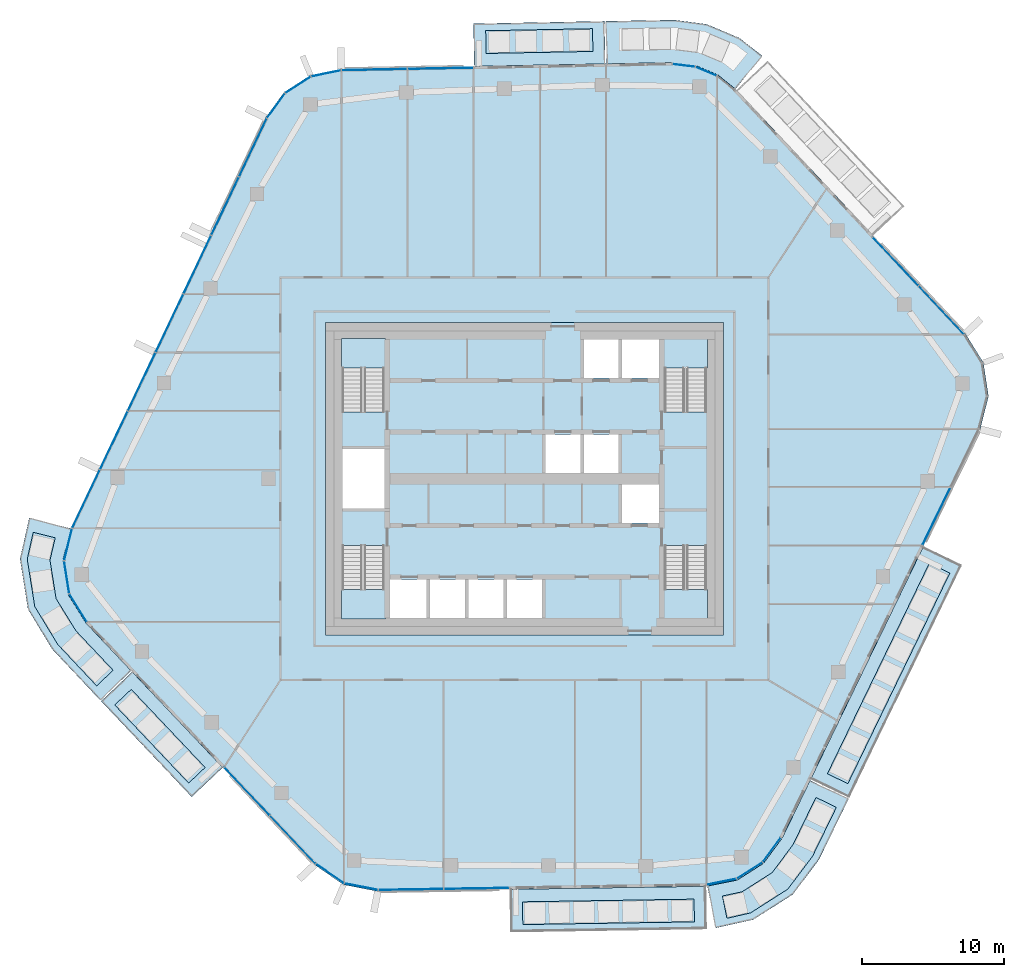
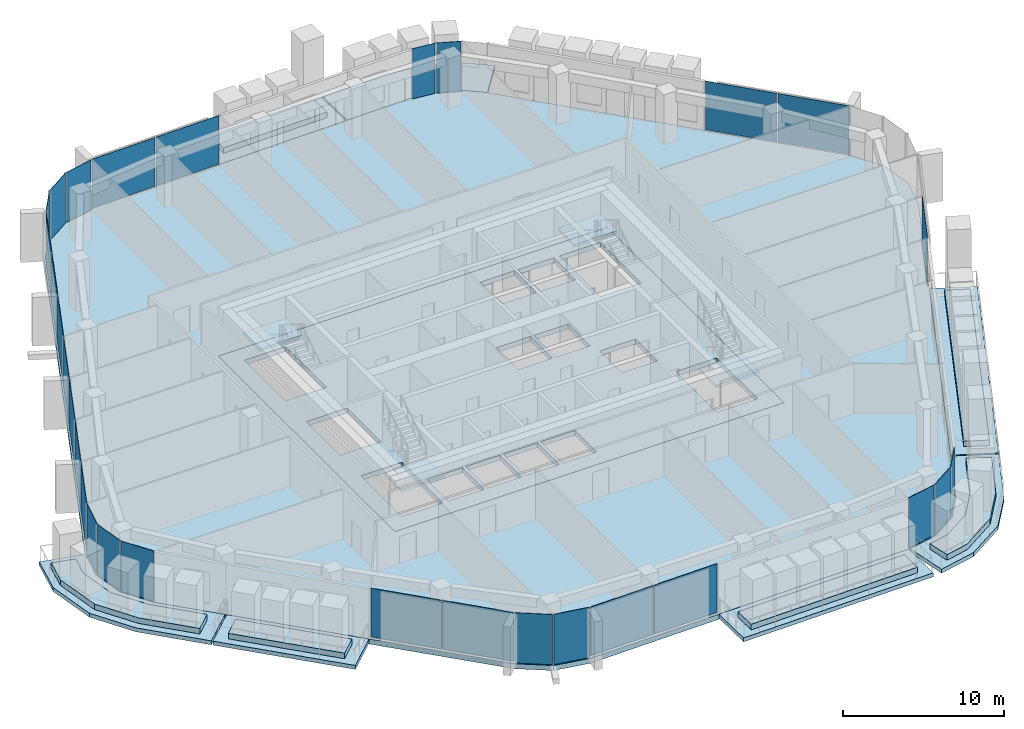
# One storey, part 11 of 24: 29 plates, 19 slabs, 15 elements without a shape of their own.
"""IFC4 building model written with IfcOpenShell, lengths in metres."""

from ifc_helpers import new_model, si_unit, direction, frame, origin, origin_2d, place, context, subcontext, project, spatial, polyline, rectangle, outline, extrude, material, layer, layer_set, type_object, element, aggregate, save


model = new_model("IFC4")

# Units and contexts
model_context = context("Model", 3, precision=1e-05, world=origin(), true_north=direction((0.0, 1.0)))
body_context = subcontext(model_context, "Body", "Model", "MODEL_VIEW")
ifc_project = project(units=[si_unit("LENGTHUNIT", "METRE"), si_unit("AREAUNIT", "SQUARE_METRE"), si_unit("VOLUMEUNIT", "CUBIC_METRE"), si_unit("PLANEANGLEUNIT", "RADIAN"), si_unit("MASSUNIT", "GRAM", prefix="KILO")], contexts=[model_context])

# Site, building, storey
site_placement = place(None, origin())
site = spatial("IfcSite", under=ifc_project, at=site_placement, CompositionType="ELEMENT")
building_placement = place(site_placement, origin())
building = spatial("IfcBuilding", under=site, at=building_placement, Name="Dongbaek Canopy Tower", CompositionType="ELEMENT")
storey_placement = place(building_placement, frame((0.0, 0.0, 302.60009765625)))
storey = spatial("IfcBuildingStorey", under=building, at=storey_placement, Name="L64", CompositionType="ELEMENT", Elevation=302.60009765625)

# Slabs
ifc_material_1 = material(Name="Concrete C40/50", Category="concrete")
ifc_layer_1 = layer(ifc_material_1, 0.300048828125)
ifc_layer_set_1 = layer_set([ifc_layer_1], Name="Balcony slab 300")
slab_type_1 = type_object("IfcSlabType", Name="Balcony slab 300", PredefinedType="FLOOR", material=ifc_layer_set_1)
slab_1_placement = place(storey_placement, frame((0.0, 0.0, -0.300048828125)))
element("IfcSlab", 1, at=slab_1_placement, inside=storey, type_object=slab_type_1, Name="Balcony L64 2", PredefinedType="FLOOR", context=body_context, shape_type="SweptSolid", body=[
    extrude(outline(polyline([(5.68310546875, 29.171875), (-3.52685546875, 28.99755859375), (-3.58349609375, 31.9970703125), (5.62646484375, 32.17138671875), (5.68310546875, 29.171875)])), origin(), (0.0, 0.0, 1.0), 0.300048828125),
])
slab_2_placement = place(storey_placement, frame((0.0, 0.0, -0.300048828125)))
element("IfcSlab", 2, at=slab_2_placement, inside=storey, type_object=slab_type_1, Name="Balcony L64 6", PredefinedType="FLOOR", context=body_context, shape_type="SweptSolid", body=[
    extrude(outline(polyline([(14.834716796875, 27.402099609375), (13.575927734375, 28.414306640625), (12.041259765625, 29.060791015625), (10.387939453125, 29.2607421875), (5.782958984375, 29.173583984375), (5.726318359375, 32.173095703125), (10.5400390625, 32.2568359375), (12.81103515625, 31.96044921875), (15.113037109375, 30.990478515625), (16.714599609375, 29.740234375), (14.834716796875, 27.402099609375)])), origin(), (0.0, 0.0, 1.0), 0.300048828125),
])
slab_3_placement = place(storey_placement, frame((0.0, 0.0, -0.300048828125)))
element("IfcSlab", 3, at=slab_3_placement, inside=storey, type_object=slab_type_1, Name="Balcony L64 3", PredefinedType="FLOOR", context=body_context, shape_type="SweptSolid", body=[
    extrude(outline(polyline([(-27.58154296875, -13.57568359375), (-21.217041015625, -20.3017578125), (-23.39599609375, -22.36376953125), (-29.7607421875, -15.6376953125), (-27.58154296875, -13.57568359375)])), origin(), (0.0, 0.0, 1.0), 0.300048828125),
])
slab_4_placement = place(storey_placement, frame((0.0, 0.0, -0.300048828125)))
element("IfcSlab", 4, at=slab_4_placement, inside=storey, type_object=slab_type_1, Name="Balcony L64 7", PredefinedType="FLOOR", context=body_context, shape_type="SweptSolid", body=[
    extrude(outline(polyline([(-31.906005859375, -3.48974609375), (-32.468994140625, -5.757568359375), (-32.095458984375, -8.114990234375), (-30.832763671875, -10.14013671875), (-27.650390625, -13.503173828125), (-29.829345703125, -15.565185546875), (-33.20703125, -11.973876953125), (-34.906005859375, -9.164306640625), (-35.46630859375, -5.62841796875), (-34.817626953125, -2.76708984375), (-31.906005859375, -3.48974609375)])), origin(), (0.0, 0.0, 1.0), 0.300048828125),
])
slab_5_placement = place(storey_placement, frame((0.0, 0.0, -0.300048828125)))
element("IfcSlab", 5, at=slab_5_placement, inside=storey, type_object=slab_type_1, Name="Balcony L64 4", PredefinedType="FLOOR", context=body_context, shape_type="SweptSolid", body=[
    extrude(outline(polyline([(-1.003173828125, -28.866455078125), (12.76220703125, -28.650634765625), (12.809326171875, -31.650146484375), (-0.956298828125, -31.8662109375), (-1.003173828125, -28.866455078125)])), origin(), (0.0, 0.0, 1.0), 0.300048828125),
])
slab_6_placement = place(storey_placement, frame((0.0, 0.0, -0.300048828125)))
element("IfcSlab", 6, at=slab_6_placement, inside=storey, type_object=slab_type_1, Name="Balcony L64 5", PredefinedType="FLOOR", context=body_context, shape_type="SweptSolid", body=[
    extrude(outline(polyline([(20.128662109375, -21.11474609375), (28.0390625, -4.780517578125), (30.739013671875, -6.088134765625), (22.82861328125, -22.42236328125), (20.128662109375, -21.11474609375)])), origin(), (0.0, 0.0, 1.0), 0.300048828125),
])
slab_7_placement = place(storey_placement, frame((0.0, 0.0, -0.300048828125)))
element("IfcSlab", 7, at=slab_7_placement, inside=storey, type_object=slab_type_1, Name="Balcony L64 8", PredefinedType="FLOOR", context=body_context, shape_type="SweptSolid", body=[
    extrude(outline(polyline([(12.861328125, -28.639892578125), (14.96435546875, -28.214111328125), (16.815673828125, -27.033447265625), (18.118408203125, -25.265625), (20.0849609375, -21.20458984375), (22.78515625, -22.51220703125), (20.686767578125, -26.81591796875), (18.864501953125, -29.224853515625), (16.087646484375, -30.99609375), (13.45654296875, -31.580322265625), (12.861328125, -28.639892578125)])), origin(), (0.0, 0.0, 1.0), 0.300048828125),
])

# Curtain wall, plates
ifc_material_2 = material(Name="Aluminium 6063-T6 pale anodised", Category="aluminium")
ifc_layer_2 = layer(ifc_material_2, 0.199951171875)
ifc_layer_set_2 = layer_set([ifc_layer_2], Name="CW-1 unitised tower curtain wall")
curtain_wall_type = type_object("IfcCurtainWallType", Name="CW-1 unitised tower curtain wall", PredefinedType="NOTDEFINED", material=ifc_layer_set_2)
curtain_wall_1_placement = place(storey_placement, origin())
curtain_wall_1 = element("IfcCurtainWall", 8, at=curtain_wall_1_placement, inside=storey, type_object=curtain_wall_type, Name="CW-1 curtain wall F0.1", PredefinedType="NOTDEFINED")
ifc_material_3 = material(Name="Clear laminated glass", Category="glass")
ifc_layer_3 = layer(ifc_material_3, 0.028076171875)
ifc_layer_set_3 = layer_set([ifc_layer_3], Name="CW-1 glazed panel 28")
plate_type = type_object("IfcPlateType", Name="CW-1 glazed panel 28", PredefinedType="CURTAIN_PANEL", material=ifc_layer_set_3)
plate_1_placement = place(storey_placement, frame((29.320068359375, 11.85302734375, 0.1201171875), z_axis=(0.0, 0.0, 1.0), x_axis=(-0.684830626177, 0.728702280393, 0.0)))
plate_1 = element("IfcPlate", 9, at=plate_1_placement, type_object=plate_type, Name="CW-1 panel F0.1.1.1", PredefinedType="CURTAIN_PANEL", context=body_context, shape_type="SweptSolid", body=[
    extrude(rectangle(XDim=4.618408203125, YDim=0.028076171875, at=origin_2d()), origin(), (0.0, 0.0, 1.0), 3.699951171875),
])
plate_2_placement = place(storey_placement, frame((26.09619140625, 15.283203125, 0.1201171875), z_axis=(0.0, 0.0, 1.0), x_axis=(-0.684830626177, 0.728702280393, 0.0)))
plate_2 = element("IfcPlate", 10, at=plate_2_placement, type_object=plate_type, Name="CW-1 panel F0.1.2.1", PredefinedType="CURTAIN_PANEL", context=body_context, shape_type="SweptSolid", body=[
    extrude(rectangle(XDim=4.62841796875, YDim=0.028076171875, at=origin_2d()), origin(), (0.0, 0.0, 1.0), 3.699951171875),
])
aggregate(curtain_wall_1, [plate_1, plate_2])

curtain_wall_2_placement = place(storey_placement, origin())
curtain_wall_2 = element("IfcCurtainWall", 11, at=curtain_wall_2_placement, inside=storey, type_object=curtain_wall_type, Name="CW-1 curtain wall K1.1", PredefinedType="NOTDEFINED")
plate_3_placement = place(storey_placement, frame((12.769775390625, 28.6455078125, 0.0), z_axis=(0.0, 0.0, 1.0), x_axis=(-0.921543381479, 0.38827541263, 0.0)))
plate_3 = element("IfcPlate", 12, at=plate_3_placement, type_object=plate_type, Name="CW-1 panel K1.1.2.1", PredefinedType="CURTAIN_PANEL", context=body_context, shape_type="SweptSolid", body=[
    extrude(rectangle(XDim=1.55322265625, YDim=0.028076171875, at=origin_2d()), origin(), (0.0, 0.0, 1.0), 3.820068359375),
])
plate_4_placement = place(storey_placement, frame((11.198974609375, 29.06201171875, 0.0), z_axis=(0.0, 0.0, 1.0), x_axis=(-0.992770795832, 0.120025609533, 0.0)))
plate_4 = element("IfcPlate", 13, at=plate_4_placement, type_object=plate_type, Name="CW-1 panel K1.1.3.1", PredefinedType="CURTAIN_PANEL", context=body_context, shape_type="SweptSolid", body=[
    extrude(rectangle(XDim=1.560302734375, YDim=0.028076171875, at=origin_2d()), origin(), (0.0, 0.0, 1.0), 3.820068359375),
])
aggregate(curtain_wall_2, [plate_3, plate_4])

curtain_wall_3_placement = place(storey_placement, origin())
curtain_wall_3 = element("IfcCurtainWall", 14, at=curtain_wall_3_placement, inside=storey, type_object=curtain_wall_type, Name="CW-1 curtain wall F1.1", PredefinedType="NOTDEFINED")
plate_5_placement = place(storey_placement, frame((-5.90234375, 28.852783203125, 0.1201171875), z_axis=(0.0, 0.0, 1.0), x_axis=(-0.999821283067, -0.018905076744, 0.0)))
plate_5 = element("IfcPlate", 15, at=plate_5_placement, type_object=plate_type, Name="CW-1 panel F1.1.1.1", PredefinedType="CURTAIN_PANEL", context=body_context, shape_type="SweptSolid", body=[
    extrude(rectangle(XDim=4.57177734375, YDim=0.028076171875, at=origin_2d()), origin(), (0.0, 0.0, 1.0), 3.699951171875),
])
plate_6_placement = place(storey_placement, frame((-10.552734375, 28.764892578125, 0.1201171875), z_axis=(0.0, 0.0, 1.0), x_axis=(-0.999821283067, -0.018905076744, 0.0)))
plate_6 = element("IfcPlate", 16, at=plate_6_placement, type_object=plate_type, Name="CW-1 panel F1.1.2.1", PredefinedType="CURTAIN_PANEL", context=body_context, shape_type="SweptSolid", body=[
    extrude(rectangle(XDim=4.5625, YDim=0.028076171875, at=origin_2d()), origin(), (0.0, 0.0, 1.0), 3.699951171875),
])
aggregate(curtain_wall_3, [plate_5, plate_6])

curtain_wall_4_placement = place(storey_placement, origin())
curtain_wall_4 = element("IfcCurtainWall", 17, at=curtain_wall_4_placement, inside=storey, type_object=curtain_wall_type, Name="CW-1 curtain wall K2.1", PredefinedType="NOTDEFINED")
plate_7_placement = place(storey_placement, frame((-13.941162109375, 28.500732421875, 0.0), z_axis=(0.0, 0.0, 1.0), x_axis=(-0.979338843238, -0.202226185556, 0.0)))
plate_7 = element("IfcPlate", 18, at=plate_7_placement, type_object=plate_type, Name="CW-1 panel K2.1.1.1", PredefinedType="CURTAIN_PANEL", context=body_context, shape_type="SweptSolid", body=[
    extrude(rectangle(XDim=2.092041015625, YDim=0.028076171875, at=origin_2d()), origin(), (0.0, 0.0, 1.0), 3.820068359375),
])
plate_8_placement = place(storey_placement, frame((-15.9169921875, 27.693359375, 0.0), z_axis=(0.0, 0.0, 1.0), x_axis=(-0.840235342412, -0.542221882039, 0.0)))
plate_8 = element("IfcPlate", 19, at=plate_8_placement, type_object=plate_type, Name="CW-1 panel K2.1.2.1", PredefinedType="CURTAIN_PANEL", context=body_context, shape_type="SweptSolid", body=[
    extrude(rectangle(XDim=2.082763671875, YDim=0.028076171875, at=origin_2d()), origin(), (0.0, 0.0, 1.0), 3.820068359375),
])
plate_9_placement = place(storey_placement, frame((-17.466796875, 26.2255859375, 0.0), z_axis=(0.0, 0.0, 1.0), x_axis=(-0.587744722494, -0.809046439446, 0.0)))
plate_9 = element("IfcPlate", 20, at=plate_9_placement, type_object=plate_type, Name="CW-1 panel K2.1.3.1", PredefinedType="CURTAIN_PANEL", context=body_context, shape_type="SweptSolid", body=[
    extrude(rectangle(XDim=2.092041015625, YDim=0.028076171875, at=origin_2d()), origin(), (0.0, 0.0, 1.0), 3.820068359375),
])
aggregate(curtain_wall_4, [plate_7, plate_8, plate_9])

curtain_wall_5_placement = place(storey_placement, origin())
curtain_wall_5 = element("IfcCurtainWall", 21, at=curtain_wall_5_placement, inside=storey, type_object=curtain_wall_type, Name="CW-1 curtain wall F2.1", PredefinedType="NOTDEFINED")
plate_10_placement = place(storey_placement, frame((-19.0830078125, 23.28955078125, 0.1201171875), z_axis=(0.0, 0.0, 1.0), x_axis=(-0.429143310174, -0.903236413866, 0.0)))
plate_10 = element("IfcPlate", 22, at=plate_10_placement, type_object=plate_type, Name="CW-1 panel F2.1.1.1", PredefinedType="CURTAIN_PANEL", context=body_context, shape_type="SweptSolid", body=[
    extrude(rectangle(XDim=4.4677734375, YDim=0.028076171875, at=origin_2d()), origin(), (0.0, 0.0, 1.0), 3.699951171875),
])
plate_11_placement = place(storey_placement, frame((-21.038330078125, 19.174072265625, 0.1201171875), z_axis=(0.0, 0.0, 1.0), x_axis=(-0.429143310174, -0.903236413866, 0.0)))
plate_11 = element("IfcPlate", 23, at=plate_11_placement, type_object=plate_type, Name="CW-1 panel F2.1.2.1", PredefinedType="CURTAIN_PANEL", context=body_context, shape_type="SweptSolid", body=[
    extrude(rectangle(XDim=4.47705078125, YDim=0.028076171875, at=origin_2d()), origin(), (0.0, 0.0, 1.0), 3.699951171875),
])
plate_12_placement = place(storey_placement, frame((-22.99560546875, 15.054443359375, 0.1201171875), z_axis=(0.0, 0.0, 1.0), x_axis=(-0.429143310174, -0.903236413866, 0.0)))
plate_12 = element("IfcPlate", 24, at=plate_12_placement, type_object=plate_type, Name="CW-1 panel F2.1.3.1", PredefinedType="CURTAIN_PANEL", context=body_context, shape_type="SweptSolid", body=[
    extrude(rectangle(XDim=4.47705078125, YDim=0.028076171875, at=origin_2d()), origin(), (0.0, 0.0, 1.0), 3.699951171875),
])
plate_13_placement = place(storey_placement, frame((-24.952880859375, 10.934814453125, 0.1201171875), z_axis=(0.0, 0.0, 1.0), x_axis=(-0.429143310174, -0.903236413866, 0.0)))
plate_13 = element("IfcPlate", 25, at=plate_13_placement, type_object=plate_type, Name="CW-1 panel F2.1.4.1", PredefinedType="CURTAIN_PANEL", context=body_context, shape_type="SweptSolid", body=[
    extrude(rectangle(XDim=4.47705078125, YDim=0.028076171875, at=origin_2d()), origin(), (0.0, 0.0, 1.0), 3.699951171875),
])
plate_14_placement = place(storey_placement, frame((-26.910400390625, 6.81494140625, 0.1201171875), z_axis=(0.0, 0.0, 1.0), x_axis=(-0.429143310174, -0.903236413866, 0.0)))
plate_14 = element("IfcPlate", 26, at=plate_14_placement, type_object=plate_type, Name="CW-1 panel F2.1.5.1", PredefinedType="CURTAIN_PANEL", context=body_context, shape_type="SweptSolid", body=[
    extrude(rectangle(XDim=4.47705078125, YDim=0.028076171875, at=origin_2d()), origin(), (0.0, 0.0, 1.0), 3.699951171875),
])
plate_15_placement = place(storey_placement, frame((-28.86767578125, 2.6953125, 0.1201171875), z_axis=(0.0, 0.0, 1.0), x_axis=(-0.429143310174, -0.903236413866, 0.0)))
plate_15 = element("IfcPlate", 27, at=plate_15_placement, type_object=plate_type, Name="CW-1 panel F2.1.6.1", PredefinedType="CURTAIN_PANEL", context=body_context, shape_type="SweptSolid", body=[
    extrude(rectangle(XDim=4.47705078125, YDim=0.028076171875, at=origin_2d()), origin(), (0.0, 0.0, 1.0), 3.699951171875),
])
plate_16_placement = place(storey_placement, frame((-30.82275390625, -1.419921875, 0.1201171875), z_axis=(0.0, 0.0, 1.0), x_axis=(-0.429143310174, -0.903236413866, 0.0)))
plate_16 = element("IfcPlate", 28, at=plate_16_placement, type_object=plate_type, Name="CW-1 panel F2.1.7.1", PredefinedType="CURTAIN_PANEL", context=body_context, shape_type="SweptSolid", body=[
    extrude(rectangle(XDim=4.467041015625, YDim=0.028076171875, at=origin_2d()), origin(), (0.0, 0.0, 1.0), 3.699951171875),
])
aggregate(curtain_wall_5, [plate_10, plate_11, plate_12, plate_13, plate_14, plate_15, plate_16])

curtain_wall_6_placement = place(storey_placement, origin())
curtain_wall_6 = element("IfcCurtainWall", 29, at=curtain_wall_6_placement, inside=storey, type_object=curtain_wall_type, Name="CW-1 curtain wall K3.1", PredefinedType="NOTDEFINED")
plate_17_placement = place(storey_placement, frame((-32.083251953125, -4.61865234375, 0.0), z_axis=(0.0, 0.0, 1.0), x_axis=(-0.240927401867, -0.970543140221, 0.0)))
plate_17 = element("IfcPlate", 30, at=plate_17_placement, type_object=plate_type, Name="CW-1 panel K3.1.1.1", PredefinedType="CURTAIN_PANEL", context=body_context, shape_type="SweptSolid", body=[
    extrude(rectangle(XDim=2.272216796875, YDim=0.028076171875, at=origin_2d()), origin(), (0.0, 0.0, 1.0), 3.820068359375),
])
plate_18_placement = place(storey_placement, frame((-32.18359375, -6.920654296875, 0.0), z_axis=(0.0, 0.0, 1.0), x_axis=(0.156478612427, -0.987681347325, 0.0)))
plate_18 = element("IfcPlate", 31, at=plate_18_placement, type_object=plate_type, Name="CW-1 panel K3.1.2.1", PredefinedType="CURTAIN_PANEL", context=body_context, shape_type="SweptSolid", body=[
    extrude(rectangle(XDim=2.261962890625, YDim=0.028076171875, at=origin_2d()), origin(), (0.0, 0.0, 1.0), 3.820068359375),
])
plate_19_placement = place(storey_placement, frame((-31.37646484375, -9.078857421875, 0.0), z_axis=(0.0, 0.0, 1.0), x_axis=(0.529125757844, -0.848543418091, 0.0)))
plate_19 = element("IfcPlate", 32, at=plate_19_placement, type_object=plate_type, Name="CW-1 panel K3.1.3.1", PredefinedType="CURTAIN_PANEL", context=body_context, shape_type="SweptSolid", body=[
    extrude(rectangle(XDim=2.272216796875, YDim=0.028076171875, at=origin_2d()), origin(), (0.0, 0.0, 1.0), 3.820068359375),
])
aggregate(curtain_wall_6, [plate_17, plate_18, plate_19])

curtain_wall_7_placement = place(storey_placement, origin())
curtain_wall_7 = element("IfcCurtainWall", 33, at=curtain_wall_7_placement, inside=storey, type_object=curtain_wall_type, Name="CW-1 curtain wall F3.1", PredefinedType="NOTDEFINED")
plate_20_placement = place(storey_placement, frame((-19.501708984375, -21.96923828125, 0.1201171875), z_axis=(0.0, 0.0, 1.0), x_axis=(0.687319879132, -0.72635486076, 0.0)))
plate_20 = element("IfcPlate", 34, at=plate_20_placement, type_object=plate_type, Name="CW-1 panel F3.1.1.1", PredefinedType="CURTAIN_PANEL", context=body_context, shape_type="SweptSolid", body=[
    extrude(rectangle(XDim=4.595947265625, YDim=0.028076171875, at=origin_2d()), origin(), (0.0, 0.0, 1.0), 3.699951171875),
])
plate_21_placement = place(storey_placement, frame((-16.28857421875, -25.36474609375, 0.1201171875), z_axis=(0.0, 0.0, 1.0), x_axis=(0.687319879132, -0.72635486076, 0.0)))
plate_21 = element("IfcPlate", 35, at=plate_21_placement, type_object=plate_type, Name="CW-1 panel F3.1.2.1", PredefinedType="CURTAIN_PANEL", context=body_context, shape_type="SweptSolid", body=[
    extrude(rectangle(XDim=4.585693359375, YDim=0.028076171875, at=origin_2d()), origin(), (0.0, 0.0, 1.0), 3.699951171875),
])
aggregate(curtain_wall_7, [plate_20, plate_21])

curtain_wall_8_placement = place(storey_placement, origin())
curtain_wall_8 = element("IfcCurtainWall", 36, at=curtain_wall_8_placement, inside=storey, type_object=curtain_wall_type, Name="CW-1 curtain wall K4.1", PredefinedType="NOTDEFINED")
plate_22_placement = place(storey_placement, frame((-13.68212890625, -27.75439453125, 0.0), z_axis=(0.0, 0.0, 1.0), x_axis=(0.822028873254, -0.569445810886, 0.0)))
plate_22 = element("IfcPlate", 37, at=plate_22_placement, type_object=plate_type, Name="CW-1 panel K4.1.1.1", PredefinedType="CURTAIN_PANEL", context=body_context, shape_type="SweptSolid", body=[
    extrude(rectangle(XDim=2.352783203125, YDim=0.028076171875, at=origin_2d()), origin(), (0.0, 0.0, 1.0), 3.820068359375),
])
plate_23_placement = place(storey_placement, frame((-11.484375, -28.68017578125, 0.0), z_axis=(0.0, 0.0, 1.0), x_axis=(0.981722233232, -0.190319354711, 0.0)))
plate_23 = element("IfcPlate", 38, at=plate_23_placement, type_object=plate_type, Name="CW-1 panel K4.1.2.1", PredefinedType="CURTAIN_PANEL", context=body_context, shape_type="SweptSolid", body=[
    extrude(rectangle(XDim=2.352783203125, YDim=0.028076171875, at=origin_2d()), origin(), (0.0, 0.0, 1.0), 3.820068359375),
])
aggregate(curtain_wall_8, [plate_22, plate_23])

curtain_wall_9_placement = place(storey_placement, origin())
curtain_wall_9 = element("IfcCurtainWall", 39, at=curtain_wall_9_placement, inside=storey, type_object=curtain_wall_type, Name="CW-1 curtain wall F4.1", PredefinedType="NOTDEFINED")
plate_24_placement = place(storey_placement, frame((-7.982421875, -28.8759765625, 0.1201171875), z_axis=(0.0, 0.0, 1.0), x_axis=(0.999876999065, 0.015683964455, 0.0)))
plate_24 = element("IfcPlate", 40, at=plate_24_placement, type_object=plate_type, Name="CW-1 panel F4.1.1.1", PredefinedType="CURTAIN_PANEL", context=body_context, shape_type="SweptSolid", body=[
    extrude(rectangle(XDim=4.528076171875, YDim=0.028076171875, at=origin_2d()), origin(), (0.0, 0.0, 1.0), 3.699951171875),
])
plate_25_placement = place(storey_placement, frame((-3.36572265625, -28.803466796875, 0.1201171875), z_axis=(0.0, 0.0, 1.0), x_axis=(0.999876999065, 0.015683964455, 0.0)))
plate_25 = element("IfcPlate", 41, at=plate_25_placement, type_object=plate_type, Name="CW-1 panel F4.1.2.1", PredefinedType="CURTAIN_PANEL", context=body_context, shape_type="SweptSolid", body=[
    extrude(rectangle(XDim=4.538330078125, YDim=0.028076171875, at=origin_2d()), origin(), (0.0, 0.0, 1.0), 3.699951171875),
])
aggregate(curtain_wall_9, [plate_24, plate_25])

curtain_wall_10_placement = place(storey_placement, origin())
curtain_wall_10 = element("IfcCurtainWall", 42, at=curtain_wall_10_placement, inside=storey, type_object=curtain_wall_type, Name="CW-1 curtain wall K5.1", PredefinedType="NOTDEFINED")
plate_26_placement = place(storey_placement, frame((13.864013671875, -28.3349609375, 0.0), z_axis=(0.0, 0.0, 1.0), x_axis=(0.98012540497, 0.19837890647, 0.0)))
plate_26 = element("IfcPlate", 43, at=plate_26_placement, type_object=plate_type, Name="CW-1 panel K5.1.1.1", PredefinedType="CURTAIN_PANEL", context=body_context, shape_type="SweptSolid", body=[
    extrude(rectangle(XDim=2.083984375, YDim=0.028076171875, at=origin_2d()), origin(), (0.0, 0.0, 1.0), 3.820068359375),
])
plate_27_placement = place(storey_placement, frame((15.83642578125, -27.53955078125, 0.0), z_axis=(0.0, 0.0, 1.0), x_axis=(0.843117414941, 0.53772950879, 0.0)))
plate_27 = element("IfcPlate", 44, at=plate_27_placement, type_object=plate_type, Name="CW-1 panel K5.1.2.1", PredefinedType="CURTAIN_PANEL", context=body_context, shape_type="SweptSolid", body=[
    extrude(rectangle(XDim=2.074462890625, YDim=0.028076171875, at=origin_2d()), origin(), (0.0, 0.0, 1.0), 3.820068359375),
])
plate_28_placement = place(storey_placement, frame((17.389404296875, -26.08642578125, 0.0), z_axis=(0.0, 0.0, 1.0), x_axis=(0.593190692138, 0.805061986906, 0.0)))
plate_28 = element("IfcPlate", 45, at=plate_28_placement, type_object=plate_type, Name="CW-1 panel K5.1.3.1", PredefinedType="CURTAIN_PANEL", context=body_context, shape_type="SweptSolid", body=[
    extrude(rectangle(XDim=2.083984375, YDim=0.028076171875, at=origin_2d()), origin(), (0.0, 0.0, 1.0), 3.820068359375),
])
aggregate(curtain_wall_10, [plate_26, plate_27, plate_28])

# Curtain wall, plate
curtain_wall_11_placement = place(storey_placement, origin())
curtain_wall_11 = element("IfcCurtainWall", 46, at=curtain_wall_11_placement, inside=storey, type_object=curtain_wall_type, Name="CW-1 curtain wall F5.1", PredefinedType="NOTDEFINED")
plate_29_placement = place(storey_placement, frame((28.965087890625, -2.638916015625, 0.1201171875), z_axis=(0.0, 0.0, 1.0), x_axis=(0.435863332121, 0.900012864193, 0.0)))
plate_29 = element("IfcPlate", 47, at=plate_29_placement, type_object=plate_type, Name="CW-1 panel F5.1.1.1", PredefinedType="CURTAIN_PANEL", context=body_context, shape_type="SweptSolid", body=[
    extrude(rectangle(XDim=4.478271484375, YDim=0.028076171875, at=origin_2d()), origin(), (0.0, 0.0, 1.0), 3.699951171875),
])
aggregate(curtain_wall_11, [plate_29])

# Slab
ifc_material_4 = material(Name="Concrete C40/50", Category="concrete")
ifc_layer_4 = layer(ifc_material_4, 0.3798828125)
ifc_layer_set_4 = layer_set([ifc_layer_4], Name="Core floor slab 380 Concrete C40/50")
slab_type_2 = type_object("IfcSlabType", Name="Core floor slab 380 Concrete C40/50", PredefinedType="FLOOR", material=ifc_layer_set_4)
slab_8_placement = place(storey_placement, frame((0.0, 0.0, -0.380126953125)))
element("IfcSlab", 48, at=slab_8_placement, inside=storey, type_object=slab_type_2, Name="Core floor slab L64", PredefinedType="FLOOR", context=body_context, shape_type="SweptSolid", body=[
    extrude(outline(polyline([(14.0, -11.0), (14.0, 11.0), (-14.0, 11.0), (-14.0, -11.0), (14.0, -11.0)]), holes=[polyline([(-12.800048828125, 2.10009765625), (-9.85009765625, 2.10009765625), (-9.85009765625, -2.10009765625), (-12.800048828125, -2.10009765625), (-12.800048828125, 2.10009765625)]), polyline([(6.625, 9.800048828125), (6.625, 7.074951171875), (4.175048828125, 7.074951171875), (4.175048828125, 9.800048828125), (6.625, 9.800048828125)]), polyline([(9.449951171875, 7.074951171875), (6.875, 7.074951171875), (6.875, 9.800048828125), (9.449951171875, 9.800048828125), (9.449951171875, 7.074951171875)]), polyline([(1.47509765625, 0.39990234375), (1.47509765625, 3.125), (3.925048828125, 3.125), (3.925048828125, 0.39990234375), (1.47509765625, 0.39990234375)]), polyline([(4.175048828125, 0.39990234375), (4.175048828125, 3.125), (6.625, 3.125), (6.625, 0.39990234375), (4.175048828125, 0.39990234375)]), polyline([(9.449951171875, -3.125), (6.875, -3.125), (6.875, -0.39990234375), (9.449951171875, -0.39990234375), (9.449951171875, -3.125)]), polyline([(-9.449951171875, -7.074951171875), (-6.875, -7.074951171875), (-6.875, -9.800048828125), (-9.449951171875, -9.800048828125), (-9.449951171875, -7.074951171875)]), polyline([(-6.625, -9.800048828125), (-6.625, -7.074951171875), (-4.175048828125, -7.074951171875), (-4.175048828125, -9.800048828125), (-6.625, -9.800048828125)]), polyline([(-3.925048828125, -9.800048828125), (-3.925048828125, -7.074951171875), (-1.47509765625, -7.074951171875), (-1.47509765625, -9.800048828125), (-3.925048828125, -9.800048828125)]), polyline([(-1.22509765625, -9.800048828125), (-1.22509765625, -7.074951171875), (1.22509765625, -7.074951171875), (1.22509765625, -9.800048828125), (-1.22509765625, -9.800048828125)]), polyline([(12.800048828125, 4.70068359375), (12.800048828125, 9.800048828125), (9.85009765625, 9.800048828125), (9.85009765625, 4.70068359375), (12.800048828125, 4.70068359375)]), polyline([(-9.85009765625, 4.70068359375), (-9.85009765625, 9.800048828125), (-12.800048828125, 9.800048828125), (-12.800048828125, 4.70068359375), (-9.85009765625, 4.70068359375)]), polyline([(9.85009765625, -4.70068359375), (9.85009765625, -9.800048828125), (12.800048828125, -9.800048828125), (12.800048828125, -4.70068359375), (9.85009765625, -4.70068359375)]), polyline([(-12.800048828125, -4.70068359375), (-12.800048828125, -9.800048828125), (-9.85009765625, -9.800048828125), (-9.85009765625, -4.70068359375), (-12.800048828125, -4.70068359375)])]), origin(), (0.0, 0.0, 1.0), 0.380126953125),
])

# Stair, slab
ifc_material_5 = material(Name="Concrete C40/50", Category="concrete")
stair_type = type_object("IfcStairType", Name="Core exit stair", PredefinedType="HALF_TURN_STAIR", material=ifc_material_5)
stair_1_placement = place(storey_placement, origin())
stair_1 = element("IfcStair", 49, at=stair_1_placement, inside=storey, type_object=stair_type, Name="L64 exit stair A", PredefinedType="HALF_TURN_STAIR")
ifc_material_6 = material(Name="Concrete C40/50", Category="concrete")
ifc_layer_5 = layer(ifc_material_6, 0.199951171875)
ifc_layer_set_5 = layer_set([ifc_layer_5], Name="Core stair landing 200")
slab_type_3 = type_object("IfcSlabType", Name="Core stair landing 200", PredefinedType="LANDING", material=ifc_layer_set_5)
slab_9_placement = place(storey_placement, frame((0.0, 0.0, 1.89990234375)))
slab_9 = element("IfcSlab", 50, at=slab_9_placement, type_object=slab_type_3, Name="ST-A landing 1", PredefinedType="LANDING", context=body_context, shape_type="SweptSolid", body=[
    extrude(outline(polyline([(12.875, 7.780029296875), (12.875, 9.875), (9.77490234375, 9.875), (9.77490234375, 7.780029296875), (12.875, 7.780029296875)])), origin(), (0.0, 0.0, 1.0), 0.199951171875),
])
aggregate(stair_1, [slab_9])

stair_2_placement = place(storey_placement, origin())
stair_2 = element("IfcStair", 51, at=stair_2_placement, inside=storey, type_object=stair_type, Name="L64 exit stair C", PredefinedType="HALF_TURN_STAIR")
slab_10_placement = place(storey_placement, frame((0.0, 0.0, 1.89990234375)))
slab_10 = element("IfcSlab", 52, at=slab_10_placement, type_object=slab_type_3, Name="ST-C landing 1", PredefinedType="LANDING", context=body_context, shape_type="SweptSolid", body=[
    extrude(outline(polyline([(-9.77490234375, 7.780029296875), (-9.77490234375, 9.875), (-12.875, 9.875), (-12.875, 7.780029296875), (-9.77490234375, 7.780029296875)])), origin(), (0.0, 0.0, 1.0), 0.199951171875),
])
aggregate(stair_2, [slab_10])

stair_3_placement = place(storey_placement, origin())
stair_3 = element("IfcStair", 53, at=stair_3_placement, inside=storey, type_object=stair_type, Name="L64 exit stair B", PredefinedType="HALF_TURN_STAIR")
slab_11_placement = place(storey_placement, frame((0.0, 0.0, 1.89990234375)))
slab_11 = element("IfcSlab", 54, at=slab_11_placement, type_object=slab_type_3, Name="ST-B landing 1", PredefinedType="LANDING", context=body_context, shape_type="SweptSolid", body=[
    extrude(outline(polyline([(9.77490234375, -7.780029296875), (9.77490234375, -9.875), (12.875, -9.875), (12.875, -7.780029296875), (9.77490234375, -7.780029296875)])), origin(), (0.0, 0.0, 1.0), 0.199951171875),
])
aggregate(stair_3, [slab_11])

stair_4_placement = place(storey_placement, origin())
stair_4 = element("IfcStair", 55, at=stair_4_placement, inside=storey, type_object=stair_type, Name="L64 exit stair D", PredefinedType="HALF_TURN_STAIR")
slab_12_placement = place(storey_placement, frame((0.0, 0.0, 1.89990234375)))
slab_12 = element("IfcSlab", 56, at=slab_12_placement, type_object=slab_type_3, Name="ST-D landing 1", PredefinedType="LANDING", context=body_context, shape_type="SweptSolid", body=[
    extrude(outline(polyline([(-12.875, -7.780029296875), (-12.875, -9.875), (-9.77490234375, -9.875), (-9.77490234375, -7.780029296875), (-12.875, -7.780029296875)])), origin(), (0.0, 0.0, 1.0), 0.199951171875),
])
aggregate(stair_4, [slab_12])

# Slabs
ifc_material_7 = material(Name="Concrete C40", Category="concrete")
ifc_layer_6 = layer(ifc_material_7, 0.3798828125)
ifc_layer_set_6 = layer_set([ifc_layer_6], Name="RC FLAT PLATE 380 Concrete C40")
slab_type_4 = type_object("IfcSlabType", Name="RC FLAT PLATE 380 Concrete C40", PredefinedType="FLOOR", material=ifc_layer_set_6)
slab_13_placement = place(storey_placement, frame((0.0, 0.0, -0.380126953125)))
element("IfcSlab", 57, at=slab_13_placement, inside=storey, type_object=slab_type_4, Name="SLAB:L64", PredefinedType="FLOOR", context=body_context, shape_type="SweptSolid", body=[
    extrude(outline(polyline([(18.118408203125, -25.265625), (16.81591796875, -27.033447265625), (14.964599609375, -28.214111328125), (12.812255859375, -28.64990234375), (-10.297119140625, -29.01220703125), (-12.72021484375, -28.54248046875), (-14.749267578125, -27.136962890625), (-30.832763671875, -10.14013671875), (-32.095458984375, -8.114990234375), (-32.468994140625, -5.757568359375), (-31.89404296875, -3.44140625), (-18.192626953125, 25.396484375), (-16.897216796875, 27.1796875), (-15.045166015625, 28.375), (-12.88671875, 28.82080078125), (10.387939453125, 29.2607421875), (12.041259765625, 29.060791015625), (13.57568359375, 28.414306640625), (14.87353515625, 27.370849609375), (31.010009765625, 10.20068359375), (32.2685546875, 8.163818359375), (32.630615234375, 5.796630859375), (32.037841796875, 3.4765625), (18.118408203125, -25.265625)]), holes=[polyline([(14.0, 11.0), (-14.0, 11.0), (-14.0, -11.0), (14.0, -11.0), (14.0, 11.0)])]), origin(), (0.0, 0.0, 1.0), 0.380126953125),
])
ifc_material_8 = material(Name="Reinforced concrete C40/50 planter box with soil", Category="concrete")
ifc_layer_7 = layer(ifc_material_8, 0.419921875)
ifc_layer_set_7 = layer_set([ifc_layer_7], Name="Terrace planter box 1600 x 420")
slab_type_5 = type_object("IfcSlabType", Name="Terrace planter box 1600 x 420", PredefinedType="USERDEFINED", material=ifc_layer_set_7)
slab_14_placement = place(storey_placement, origin())
element("IfcSlab", 58, at=slab_14_placement, inside=storey, type_object=slab_type_5, Name="Balcony planter L64 2", ObjectType="PLANTER", PredefinedType="USERDEFINED", context=body_context, shape_type="SweptSolid", body=[
    extrude(outline(polyline([(4.81640625, 30.045654296875), (-2.69384765625, 29.903564453125), (-2.72412109375, 31.503173828125), (4.7861328125, 31.645263671875), (4.81640625, 30.045654296875)])), origin(), (0.0, 0.0, 1.0), 0.419921875),
])
slab_15_placement = place(storey_placement, origin())
element("IfcSlab", 59, at=slab_15_placement, inside=storey, type_object=slab_type_5, Name="Balcony planter L64 3", ObjectType="PLANTER", PredefinedType="USERDEFINED", context=body_context, shape_type="SweptSolid", body=[
    extrude(outline(polyline([(-27.643798828125, -14.804931640625), (-22.44775390625, -20.296142578125), (-23.60986328125, -21.39599609375), (-28.80615234375, -15.904541015625), (-27.643798828125, -14.804931640625)])), origin(), (0.0, 0.0, 1.0), 0.419921875),
])
slab_16_placement = place(storey_placement, origin())
element("IfcSlab", 60, at=slab_16_placement, inside=storey, type_object=slab_type_5, Name="Balcony planter L64 7", ObjectType="PLANTER", PredefinedType="USERDEFINED", context=body_context, shape_type="SweptSolid", body=[
    extrude(outline(polyline([(-32.986572265625, -4.14892578125), (-33.358154296875, -5.71923828125), (-32.92919921875, -8.42626953125), (-31.537109375, -10.68408203125), (-28.91552734375, -13.461181640625), (-30.07763671875, -14.560791015625), (-32.80322265625, -11.662109375), (-34.42822265625, -8.98583984375), (-34.956787109375, -5.650390625), (-34.53955078125, -3.763427734375), (-32.986572265625, -4.14892578125)])), origin(), (0.0, 0.0, 1.0), 0.419921875),
])
slab_17_placement = place(storey_placement, origin())
element("IfcSlab", 61, at=slab_17_placement, inside=storey, type_object=slab_type_5, Name="Balcony planter L64 4", ObjectType="PLANTER", PredefinedType="USERDEFINED", context=body_context, shape_type="SweptSolid", body=[
    extrude(outline(polyline([(-0.139404296875, -29.7431640625), (11.92626953125, -29.5537109375), (11.951416015625, -31.153564453125), (-0.1142578125, -31.3427734375), (-0.139404296875, -29.7431640625)])), origin(), (0.0, 0.0, 1.0), 0.419921875),
])
slab_18_placement = place(storey_placement, origin())
element("IfcSlab", 62, at=slab_18_placement, inside=storey, type_object=slab_type_5, Name="Balcony planter L64 5", ObjectType="PLANTER", PredefinedType="USERDEFINED", context=body_context, shape_type="SweptSolid", body=[
    extrude(outline(polyline([(21.300048828125, -20.737548828125), (28.469482421875, -5.933349609375), (29.909423828125, -6.630859375), (22.739990234375, -21.43505859375), (21.300048828125, -20.737548828125)])), origin(), (0.0, 0.0, 1.0), 0.419921875),
])
slab_19_placement = place(storey_placement, origin())
element("IfcSlab", 63, at=slab_19_placement, inside=storey, type_object=slab_type_5, Name="Balcony planter L64 8", ObjectType="PLANTER", PredefinedType="USERDEFINED", context=body_context, shape_type="SweptSolid", body=[
    extrude(outline(polyline([(13.919921875, -29.333740234375), (15.297607421875, -29.03955078125), (17.423583984375, -27.68359375), (18.88037109375, -25.7255859375), (20.49365234375, -22.402587890625), (21.933837890625, -23.099853515625), (20.250244140625, -26.55224609375), (18.516357421875, -28.852294921875), (15.896728515625, -30.523193359375), (14.2373046875, -30.90185546875), (13.919921875, -29.333740234375)])), origin(), (0.0, 0.0, 1.0), 0.419921875),
])

save(model, "model.ifc")
